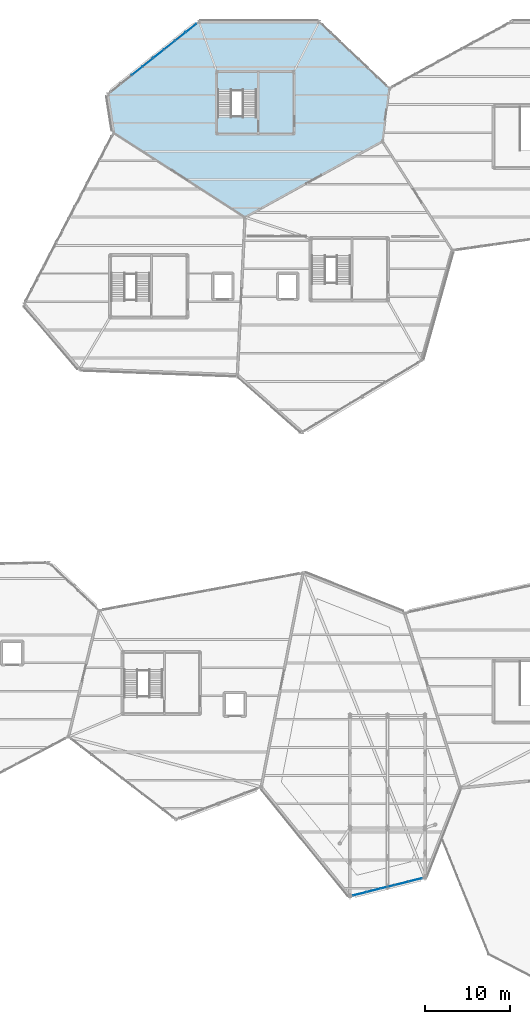
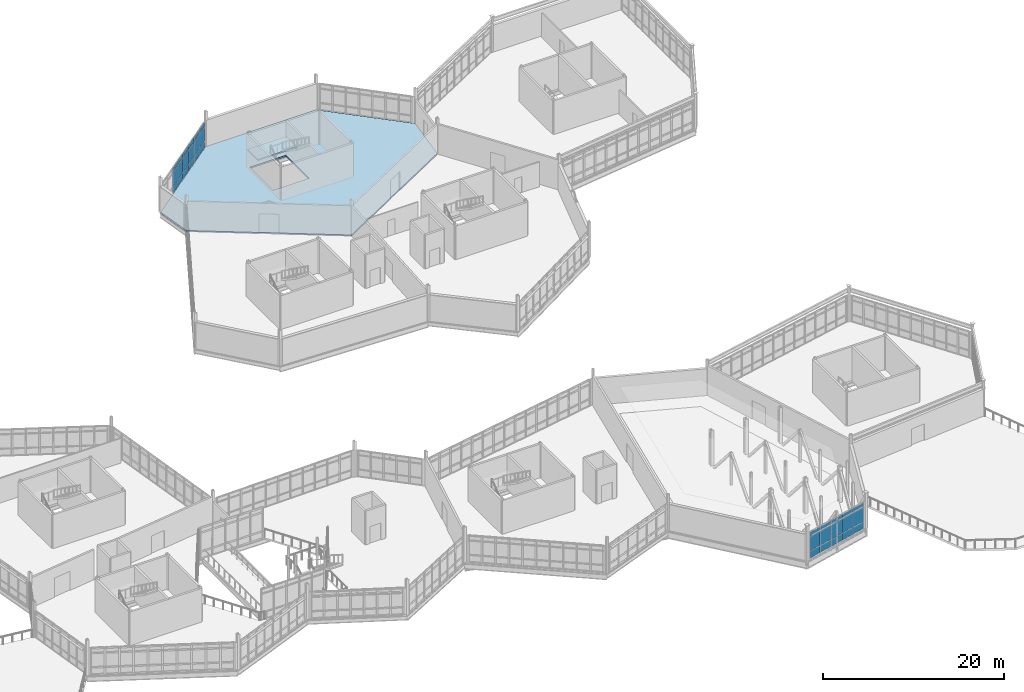
# One storey, part 79 of 114: 33 plates, 2 slabs, 3 elements without a shape of their own.
"""IFC4 building model written with IfcOpenShell, lengths in metres."""

from ifc_helpers import new_model, si_unit, direction, frame, origin, origin_2d, place, context, subcontext, project, spatial, polyline, rectangle, outline, extrude, material, layer, layer_set, type_object, element, aggregate, save


model = new_model("IFC4")

# Units and contexts
model_context = context("Model", 3, precision=1e-05, world=origin(), true_north=direction((0.0, 1.0)))
body_context = subcontext(model_context, "Body", "Model", "MODEL_VIEW")
ifc_project = project(units=[si_unit("LENGTHUNIT", "METRE"), si_unit("AREAUNIT", "SQUARE_METRE"), si_unit("VOLUMEUNIT", "CUBIC_METRE"), si_unit("PLANEANGLEUNIT", "RADIAN"), si_unit("MASSUNIT", "GRAM", prefix="KILO")], contexts=[model_context])

# Site, building, storey
site_placement = place(None, origin())
site = spatial("IfcSite", under=ifc_project, at=site_placement, CompositionType="ELEMENT")
building_placement = place(site_placement, origin())
building = spatial("IfcBuilding", under=site, at=building_placement, Name="Tameran Prism Museum", CompositionType="ELEMENT")
storey_placement = place(building_placement, frame((0.0, 0.0, 10.199951171875)))
storey = spatial("IfcBuildingStorey", under=building, at=storey_placement, Name="L02", CompositionType="ELEMENT", Elevation=10.199951171875)

# Curtain wall, plates
ifc_material_1 = material(Name="Anodised Aluminium 6063-T6 and Cyclone Solar Glass", Category="aluminium")
curtain_wall_type_1 = type_object("IfcCurtainWallType", Name="CW-FAC-837x362", PredefinedType="USERDEFINED", material=ifc_material_1)
curtain_wall_1_placement = place(storey_placement, origin())
curtain_wall_1 = element("IfcCurtainWall", 1, at=curtain_wall_1_placement, inside=storey, type_object=curtain_wall_type_1, Name="Unitised Curtain Wall CW-119", ObjectType="UNITISED CURTAIN WALL", PredefinedType="USERDEFINED")
ifc_material_2 = material(Name="Low-E Laminated Solar Glass", Category="glass")
ifc_layer_1 = layer(ifc_material_2, 0.028076171875)
ifc_layer_set_1 = layer_set([ifc_layer_1])
plate_type_1 = type_object("IfcPlateType", Name="CW-PNL-G28", PredefinedType="CURTAIN_PANEL", material=ifc_layer_set_1)
plate_1_placement = place(storey_placement, frame((138.732177734375, 11.407958984375, 0.06494140625), z_axis=(0.0, 0.0, 1.0), x_axis=(-0.970142500145, -0.242535625038, 0.0)))
plate_1 = element("IfcPlate", 2, at=plate_1_placement, type_object=plate_type_1, Name="CW-119 panel 1.1", PredefinedType="CURTAIN_PANEL", context=body_context, shape_type="SweptSolid", body=[
    extrude(rectangle(XDim=1.576416015625, YDim=0.028076171875, at=origin_2d()), origin(), (0.0, 0.0, 1.0), 0.902587890625),
])
plate_2_placement = place(storey_placement, frame((138.732177734375, 11.407958984375, 1.032470703125), z_axis=(0.0, 0.0, 1.0), x_axis=(-0.970142500145, -0.242535625038, 0.0)))
plate_2 = element("IfcPlate", 3, at=plate_2_placement, type_object=plate_type_1, Name="CW-119 panel 1.2", PredefinedType="CURTAIN_PANEL", context=body_context, shape_type="SweptSolid", body=[
    extrude(rectangle(XDim=1.576416015625, YDim=0.028076171875, at=origin_2d()), origin(), (0.0, 0.0, 1.0), 1.875),
])
plate_3_placement = place(storey_placement, frame((138.732177734375, 11.407958984375, 2.97265625), z_axis=(0.0, 0.0, 1.0), x_axis=(-0.970142500145, -0.242535625038, 0.0)))
plate_3 = element("IfcPlate", 4, at=plate_3_placement, type_object=plate_type_1, Name="CW-119 panel 1.3", PredefinedType="CURTAIN_PANEL", context=body_context, shape_type="SweptSolid", body=[
    extrude(rectangle(XDim=1.576416015625, YDim=0.028076171875, at=origin_2d()), origin(), (0.0, 0.0, 1.0), 0.58251953125),
])
plate_4_placement = place(storey_placement, frame((137.1240234375, 11.006103515625, 0.06494140625), z_axis=(0.0, 0.0, 1.0), x_axis=(-0.970142500145, -0.242535625038, 0.0)))
plate_4 = element("IfcPlate", 5, at=plate_4_placement, type_object=plate_type_1, Name="CW-119 panel 2.1", PredefinedType="CURTAIN_PANEL", context=body_context, shape_type="SweptSolid", body=[
    extrude(rectangle(XDim=1.60888671875, YDim=0.028076171875, at=origin_2d()), origin(), (0.0, 0.0, 1.0), 0.902587890625),
])
plate_5_placement = place(storey_placement, frame((137.1240234375, 11.006103515625, 1.032470703125), z_axis=(0.0, 0.0, 1.0), x_axis=(-0.970142500145, -0.242535625038, 0.0)))
plate_5 = element("IfcPlate", 6, at=plate_5_placement, type_object=plate_type_1, Name="CW-119 panel 2.2", PredefinedType="CURTAIN_PANEL", context=body_context, shape_type="SweptSolid", body=[
    extrude(rectangle(XDim=1.60888671875, YDim=0.028076171875, at=origin_2d()), origin(), (0.0, 0.0, 1.0), 1.875),
])
plate_6_placement = place(storey_placement, frame((137.1240234375, 11.006103515625, 2.97265625), z_axis=(0.0, 0.0, 1.0), x_axis=(-0.970142500145, -0.242535625038, 0.0)))
plate_6 = element("IfcPlate", 7, at=plate_6_placement, type_object=plate_type_1, Name="CW-119 panel 2.3", PredefinedType="CURTAIN_PANEL", context=body_context, shape_type="SweptSolid", body=[
    extrude(rectangle(XDim=1.60888671875, YDim=0.028076171875, at=origin_2d()), origin(), (0.0, 0.0, 1.0), 0.58251953125),
])
plate_7_placement = place(storey_placement, frame((135.5, 10.60009765625, 0.06494140625), z_axis=(0.0, 0.0, 1.0), x_axis=(-0.970142500145, -0.242535625038, 0.0)))
plate_7 = element("IfcPlate", 8, at=plate_7_placement, type_object=plate_type_1, Name="CW-119 panel 3.1", PredefinedType="CURTAIN_PANEL", context=body_context, shape_type="SweptSolid", body=[
    extrude(rectangle(XDim=1.60888671875, YDim=0.028076171875, at=origin_2d()), origin(), (0.0, 0.0, 1.0), 0.902587890625),
])
plate_8_placement = place(storey_placement, frame((135.5, 10.60009765625, 1.032470703125), z_axis=(0.0, 0.0, 1.0), x_axis=(-0.970142500145, -0.242535625038, 0.0)))
plate_8 = element("IfcPlate", 9, at=plate_8_placement, type_object=plate_type_1, Name="CW-119 panel 3.2", PredefinedType="CURTAIN_PANEL", context=body_context, shape_type="SweptSolid", body=[
    extrude(rectangle(XDim=1.60888671875, YDim=0.028076171875, at=origin_2d()), origin(), (0.0, 0.0, 1.0), 1.875),
])
plate_9_placement = place(storey_placement, frame((135.5, 10.60009765625, 2.97265625), z_axis=(0.0, 0.0, 1.0), x_axis=(-0.970142500145, -0.242535625038, 0.0)))
plate_9 = element("IfcPlate", 10, at=plate_9_placement, type_object=plate_type_1, Name="CW-119 panel 3.3", PredefinedType="CURTAIN_PANEL", context=body_context, shape_type="SweptSolid", body=[
    extrude(rectangle(XDim=1.60888671875, YDim=0.028076171875, at=origin_2d()), origin(), (0.0, 0.0, 1.0), 0.58251953125),
])
plate_10_placement = place(storey_placement, frame((133.8759765625, 10.194091796875, 0.06494140625), z_axis=(0.0, 0.0, 1.0), x_axis=(-0.970142500145, -0.242535625038, 0.0)))
plate_10 = element("IfcPlate", 11, at=plate_10_placement, type_object=plate_type_1, Name="CW-119 panel 4.1", PredefinedType="CURTAIN_PANEL", context=body_context, shape_type="SweptSolid", body=[
    extrude(rectangle(XDim=1.60888671875, YDim=0.028076171875, at=origin_2d()), origin(), (0.0, 0.0, 1.0), 0.902587890625),
])
plate_11_placement = place(storey_placement, frame((133.8759765625, 10.194091796875, 1.032470703125), z_axis=(0.0, 0.0, 1.0), x_axis=(-0.970142500145, -0.242535625038, 0.0)))
plate_11 = element("IfcPlate", 12, at=plate_11_placement, type_object=plate_type_1, Name="CW-119 panel 4.2", PredefinedType="CURTAIN_PANEL", context=body_context, shape_type="SweptSolid", body=[
    extrude(rectangle(XDim=1.60888671875, YDim=0.028076171875, at=origin_2d()), origin(), (0.0, 0.0, 1.0), 1.875),
])
plate_12_placement = place(storey_placement, frame((133.8759765625, 10.194091796875, 2.97265625), z_axis=(0.0, 0.0, 1.0), x_axis=(-0.970142500145, -0.242535625038, 0.0)))
plate_12 = element("IfcPlate", 13, at=plate_12_placement, type_object=plate_type_1, Name="CW-119 panel 4.3", PredefinedType="CURTAIN_PANEL", context=body_context, shape_type="SweptSolid", body=[
    extrude(rectangle(XDim=1.60888671875, YDim=0.028076171875, at=origin_2d()), origin(), (0.0, 0.0, 1.0), 0.58251953125),
])
plate_13_placement = place(storey_placement, frame((132.267822265625, 9.7919921875, 0.06494140625), z_axis=(0.0, 0.0, 1.0), x_axis=(-0.970142500145, -0.242535625038, 0.0)))
plate_13 = element("IfcPlate", 14, at=plate_13_placement, type_object=plate_type_1, Name="CW-119 panel 5.1", PredefinedType="CURTAIN_PANEL", context=body_context, shape_type="SweptSolid", body=[
    extrude(rectangle(XDim=1.576416015625, YDim=0.028076171875, at=origin_2d()), origin(), (0.0, 0.0, 1.0), 0.902587890625),
])
plate_14_placement = place(storey_placement, frame((132.267822265625, 9.7919921875, 1.032470703125), z_axis=(0.0, 0.0, 1.0), x_axis=(-0.970142500145, -0.242535625038, 0.0)))
plate_14 = element("IfcPlate", 15, at=plate_14_placement, type_object=plate_type_1, Name="CW-119 panel 5.2", PredefinedType="CURTAIN_PANEL", context=body_context, shape_type="SweptSolid", body=[
    extrude(rectangle(XDim=1.576416015625, YDim=0.028076171875, at=origin_2d()), origin(), (0.0, 0.0, 1.0), 1.875),
])
plate_15_placement = place(storey_placement, frame((132.267822265625, 9.7919921875, 2.97265625), z_axis=(0.0, 0.0, 1.0), x_axis=(-0.970142500145, -0.242535625038, 0.0)))
plate_15 = element("IfcPlate", 16, at=plate_15_placement, type_object=plate_type_1, Name="CW-119 panel 5.3", PredefinedType="CURTAIN_PANEL", context=body_context, shape_type="SweptSolid", body=[
    extrude(rectangle(XDim=1.576416015625, YDim=0.028076171875, at=origin_2d()), origin(), (0.0, 0.0, 1.0), 0.58251953125),
])
aggregate(curtain_wall_1, [plate_1, plate_2, plate_3, plate_4, plate_5, plate_6, plate_7, plate_8, plate_9, plate_10, plate_11, plate_12, plate_13, plate_14, plate_15])

ifc_material_3 = material(Name="Anodised Aluminium 6063-T6 and Cyclone Solar Glass", Category="aluminium")
curtain_wall_type_2 = type_object("IfcCurtainWallType", Name="CW-FAC-1296x362", PredefinedType="USERDEFINED", material=ifc_material_3)
curtain_wall_2_placement = place(storey_placement, origin())
curtain_wall_2 = element("IfcCurtainWall", 17, at=curtain_wall_2_placement, inside=storey, type_object=curtain_wall_type_2, Name="Unitised Curtain Wall CW-101", ObjectType="UNITISED CURTAIN WALL", PredefinedType="USERDEFINED")
ifc_material_4 = material(Name="Cyclone Laminated Solar Glass", Category="glass")
ifc_layer_2 = layer(ifc_material_4, 0.031982421875)
ifc_layer_set_2 = layer_set([ifc_layer_2])
plate_type_2 = type_object("IfcPlateType", Name="CW-PNL-G32", PredefinedType="CURTAIN_PANEL", material=ifc_layer_set_2)
plate_16_placement = place(storey_placement, frame((106.146484375, 106.238037109375, 0.0751953125), z_axis=(0.0, 0.0, 1.0), x_axis=(0.783031296178, 0.621982306183, 0.0)))
plate_16 = element("IfcPlate", 18, at=plate_16_placement, type_object=plate_type_2, Name="CW-101 panel 3.1", PredefinedType="CURTAIN_PANEL", context=body_context, shape_type="SweptSolid", body=[
    extrude(rectangle(XDim=1.545654296875, YDim=0.031982421875, at=origin_2d()), origin(), (0.0, 0.0, 1.0), 0.887451171875),
])
plate_17_placement = place(storey_placement, frame((106.146484375, 106.238037109375, 1.03759765625), z_axis=(0.0, 0.0, 1.0), x_axis=(0.783031296178, 0.621982306183, 0.0)))
plate_17 = element("IfcPlate", 19, at=plate_17_placement, type_object=plate_type_2, Name="CW-101 panel 3.2", PredefinedType="CURTAIN_PANEL", context=body_context, shape_type="SweptSolid", body=[
    extrude(rectangle(XDim=1.545654296875, YDim=0.031982421875, at=origin_2d()), origin(), (0.0, 0.0, 1.0), 1.864990234375),
])
plate_18_placement = place(storey_placement, frame((106.146484375, 106.238037109375, 2.9775390625), z_axis=(0.0, 0.0, 1.0), x_axis=(0.783031296178, 0.621982306183, 0.0)))
plate_18 = element("IfcPlate", 20, at=plate_18_placement, type_object=plate_type_2, Name="CW-101 panel 3.3", PredefinedType="CURTAIN_PANEL", context=body_context, shape_type="SweptSolid", body=[
    extrude(rectangle(XDim=1.545654296875, YDim=0.031982421875, at=origin_2d()), origin(), (0.0, 0.0, 1.0), 0.5673828125),
])
plate_19_placement = place(storey_placement, frame((107.41552734375, 107.24609375, 0.0751953125), z_axis=(0.0, 0.0, 1.0), x_axis=(0.783031296178, 0.621982306183, 0.0)))
plate_19 = element("IfcPlate", 21, at=plate_19_placement, type_object=plate_type_2, Name="CW-101 panel 4.1", PredefinedType="CURTAIN_PANEL", context=body_context, shape_type="SweptSolid", body=[
    extrude(rectangle(XDim=1.545654296875, YDim=0.031982421875, at=origin_2d()), origin(), (0.0, 0.0, 1.0), 0.887451171875),
])
plate_20_placement = place(storey_placement, frame((107.41552734375, 107.24609375, 1.03759765625), z_axis=(0.0, 0.0, 1.0), x_axis=(0.783031296178, 0.621982306183, 0.0)))
plate_20 = element("IfcPlate", 22, at=plate_20_placement, type_object=plate_type_2, Name="CW-101 panel 4.2", PredefinedType="CURTAIN_PANEL", context=body_context, shape_type="SweptSolid", body=[
    extrude(rectangle(XDim=1.545654296875, YDim=0.031982421875, at=origin_2d()), origin(), (0.0, 0.0, 1.0), 1.864990234375),
])
plate_21_placement = place(storey_placement, frame((107.41552734375, 107.24609375, 2.9775390625), z_axis=(0.0, 0.0, 1.0), x_axis=(0.783031296178, 0.621982306183, 0.0)))
plate_21 = element("IfcPlate", 23, at=plate_21_placement, type_object=plate_type_2, Name="CW-101 panel 4.3", PredefinedType="CURTAIN_PANEL", context=body_context, shape_type="SweptSolid", body=[
    extrude(rectangle(XDim=1.545654296875, YDim=0.031982421875, at=origin_2d()), origin(), (0.0, 0.0, 1.0), 0.5673828125),
])
plate_22_placement = place(storey_placement, frame((108.6845703125, 108.25390625, 0.0751953125), z_axis=(0.0, 0.0, 1.0), x_axis=(0.783031296178, 0.621982306183, 0.0)))
plate_22 = element("IfcPlate", 24, at=plate_22_placement, type_object=plate_type_2, Name="CW-101 panel 5.1", PredefinedType="CURTAIN_PANEL", context=body_context, shape_type="SweptSolid", body=[
    extrude(rectangle(XDim=1.545654296875, YDim=0.031982421875, at=origin_2d()), origin(), (0.0, 0.0, 1.0), 0.887451171875),
])
plate_23_placement = place(storey_placement, frame((108.6845703125, 108.25390625, 1.03759765625), z_axis=(0.0, 0.0, 1.0), x_axis=(0.783031296178, 0.621982306183, 0.0)))
plate_23 = element("IfcPlate", 25, at=plate_23_placement, type_object=plate_type_2, Name="CW-101 panel 5.2", PredefinedType="CURTAIN_PANEL", context=body_context, shape_type="SweptSolid", body=[
    extrude(rectangle(XDim=1.545654296875, YDim=0.031982421875, at=origin_2d()), origin(), (0.0, 0.0, 1.0), 1.864990234375),
])
plate_24_placement = place(storey_placement, frame((108.6845703125, 108.25390625, 2.9775390625), z_axis=(0.0, 0.0, 1.0), x_axis=(0.783031296178, 0.621982306183, 0.0)))
plate_24 = element("IfcPlate", 26, at=plate_24_placement, type_object=plate_type_2, Name="CW-101 panel 5.3", PredefinedType="CURTAIN_PANEL", context=body_context, shape_type="SweptSolid", body=[
    extrude(rectangle(XDim=1.545654296875, YDim=0.031982421875, at=origin_2d()), origin(), (0.0, 0.0, 1.0), 0.5673828125),
])
plate_25_placement = place(storey_placement, frame((109.95361328125, 109.261962890625, 0.0751953125), z_axis=(0.0, 0.0, 1.0), x_axis=(0.783031296178, 0.621982306183, 0.0)))
plate_25 = element("IfcPlate", 27, at=plate_25_placement, type_object=plate_type_2, Name="CW-101 panel 6.1", PredefinedType="CURTAIN_PANEL", context=body_context, shape_type="SweptSolid", body=[
    extrude(rectangle(XDim=1.545654296875, YDim=0.031982421875, at=origin_2d()), origin(), (0.0, 0.0, 1.0), 0.887451171875),
])
plate_26_placement = place(storey_placement, frame((109.95361328125, 109.261962890625, 1.03759765625), z_axis=(0.0, 0.0, 1.0), x_axis=(0.783031296178, 0.621982306183, 0.0)))
plate_26 = element("IfcPlate", 28, at=plate_26_placement, type_object=plate_type_2, Name="CW-101 panel 6.2", PredefinedType="CURTAIN_PANEL", context=body_context, shape_type="SweptSolid", body=[
    extrude(rectangle(XDim=1.545654296875, YDim=0.031982421875, at=origin_2d()), origin(), (0.0, 0.0, 1.0), 1.864990234375),
])
plate_27_placement = place(storey_placement, frame((109.95361328125, 109.261962890625, 2.9775390625), z_axis=(0.0, 0.0, 1.0), x_axis=(0.783031296178, 0.621982306183, 0.0)))
plate_27 = element("IfcPlate", 29, at=plate_27_placement, type_object=plate_type_2, Name="CW-101 panel 6.3", PredefinedType="CURTAIN_PANEL", context=body_context, shape_type="SweptSolid", body=[
    extrude(rectangle(XDim=1.545654296875, YDim=0.031982421875, at=origin_2d()), origin(), (0.0, 0.0, 1.0), 0.5673828125),
])
plate_28_placement = place(storey_placement, frame((111.222412109375, 110.27001953125, 0.0751953125), z_axis=(0.0, 0.0, 1.0), x_axis=(0.783031296178, 0.621982306183, 0.0)))
plate_28 = element("IfcPlate", 30, at=plate_28_placement, type_object=plate_type_2, Name="CW-101 panel 7.1", PredefinedType="CURTAIN_PANEL", context=body_context, shape_type="SweptSolid", body=[
    extrude(rectangle(XDim=1.545654296875, YDim=0.031982421875, at=origin_2d()), origin(), (0.0, 0.0, 1.0), 0.887451171875),
])
plate_29_placement = place(storey_placement, frame((111.222412109375, 110.27001953125, 1.03759765625), z_axis=(0.0, 0.0, 1.0), x_axis=(0.783031296178, 0.621982306183, 0.0)))
plate_29 = element("IfcPlate", 31, at=plate_29_placement, type_object=plate_type_2, Name="CW-101 panel 7.2", PredefinedType="CURTAIN_PANEL", context=body_context, shape_type="SweptSolid", body=[
    extrude(rectangle(XDim=1.545654296875, YDim=0.031982421875, at=origin_2d()), origin(), (0.0, 0.0, 1.0), 1.864990234375),
])
plate_30_placement = place(storey_placement, frame((111.222412109375, 110.27001953125, 2.9775390625), z_axis=(0.0, 0.0, 1.0), x_axis=(0.783031296178, 0.621982306183, 0.0)))
plate_30 = element("IfcPlate", 32, at=plate_30_placement, type_object=plate_type_2, Name="CW-101 panel 7.3", PredefinedType="CURTAIN_PANEL", context=body_context, shape_type="SweptSolid", body=[
    extrude(rectangle(XDim=1.545654296875, YDim=0.031982421875, at=origin_2d()), origin(), (0.0, 0.0, 1.0), 0.5673828125),
])
plate_31_placement = place(storey_placement, frame((112.476806640625, 111.266357421875, 0.0751953125), z_axis=(0.0, 0.0, 1.0), x_axis=(0.783031296178, 0.621982306183, 0.0)))
plate_31 = element("IfcPlate", 33, at=plate_31_placement, type_object=plate_type_2, Name="CW-101 panel 8.1", PredefinedType="CURTAIN_PANEL", context=body_context, shape_type="SweptSolid", body=[
    extrude(rectangle(XDim=1.508056640625, YDim=0.031982421875, at=origin_2d()), origin(), (0.0, 0.0, 1.0), 0.887451171875),
])
plate_32_placement = place(storey_placement, frame((112.476806640625, 111.266357421875, 1.03759765625), z_axis=(0.0, 0.0, 1.0), x_axis=(0.783031296178, 0.621982306183, 0.0)))
plate_32 = element("IfcPlate", 34, at=plate_32_placement, type_object=plate_type_2, Name="CW-101 panel 8.2", PredefinedType="CURTAIN_PANEL", context=body_context, shape_type="SweptSolid", body=[
    extrude(rectangle(XDim=1.508056640625, YDim=0.031982421875, at=origin_2d()), origin(), (0.0, 0.0, 1.0), 1.864990234375),
])
plate_33_placement = place(storey_placement, frame((112.476806640625, 111.266357421875, 2.9775390625), z_axis=(0.0, 0.0, 1.0), x_axis=(0.783031296178, 0.621982306183, 0.0)))
plate_33 = element("IfcPlate", 35, at=plate_33_placement, type_object=plate_type_2, Name="CW-101 panel 8.3", PredefinedType="CURTAIN_PANEL", context=body_context, shape_type="SweptSolid", body=[
    extrude(rectangle(XDim=1.508056640625, YDim=0.031982421875, at=origin_2d()), origin(), (0.0, 0.0, 1.0), 0.5673828125),
])
aggregate(curtain_wall_2, [plate_16, plate_17, plate_18, plate_19, plate_20, plate_21, plate_22, plate_23, plate_24, plate_25, plate_26, plate_27, plate_28, plate_29, plate_30, plate_31, plate_32, plate_33])

# Slab
ifc_material_5 = material(Name="Concrete N32 (32 MPa)", Category="concrete")
ifc_layer_3 = layer(ifc_material_5, 0.199951171875)
ifc_layer_set_3 = layer_set([ifc_layer_3])
slab_type_1 = type_object("IfcSlabType", Name="SL-FLR-200", PredefinedType="FLOOR", material=ifc_layer_set_3)
slab_1_placement = place(storey_placement, frame((0.0, 0.0, -0.199951171875)))
element("IfcSlab", 36, at=slab_1_placement, inside=storey, type_object=slab_type_1, Name="Floor Slab FS-P03-L02", PredefinedType="FLOOR", context=body_context, shape_type="SweptSolid", body=[
    extrude(outline(polyline([(102.699951171875, 103.5), (113.39990234375, 112.0), (127.5, 112.0), (135.699951171875, 104.199951171875), (134.89990234375, 98.0), (118.800048828125, 89.10009765625), (103.39990234375, 99.0), (102.699951171875, 103.5)]), holes=[polyline([(120.219970703125, 106.050048828125), (115.60009765625, 106.050048828125), (115.60009765625, 100.93994140625), (120.219970703125, 100.93994140625), (120.219970703125, 106.050048828125)])]), origin(), (0.0, 0.0, 1.0), 0.199951171875),
])

# Stair, slab
ifc_material_6 = material(Name="Concrete N40 (40 MPa)", Category="concrete")
stair_type = type_object("IfcStairType", Name="ST-CORE-48", PredefinedType="HALF_TURN_STAIR", material=ifc_material_6)
stair_placement = place(storey_placement, origin())
stair = element("IfcStair", 37, at=stair_placement, inside=storey, type_object=stair_type, Name="Fire-Isolated Stair ST-07-L02", PredefinedType="HALF_TURN_STAIR")
ifc_material_7 = material(Name="Concrete N40 (40 MPa)", Category="concrete")
ifc_layer_4 = layer(ifc_material_7, 0.18505859375)
ifc_layer_set_4 = layer_set([ifc_layer_4])
slab_type_2 = type_object("IfcSlabType", Name="SL-LND-185", PredefinedType="LANDING", material=ifc_layer_set_4)
slab_2_placement = place(storey_placement, frame((0.0, 0.0, 2.215087890625)))
slab_2 = element("IfcSlab", 38, at=slab_2_placement, type_object=slab_type_2, Name="ST-07-L02 landing 1", PredefinedType="LANDING", context=body_context, shape_type="SweptSolid", body=[
    extrude(outline(polyline([(115.3798828125, 103.9150390625), (120.3701171875, 103.9150390625), (120.3701171875, 106.219970703125), (115.3798828125, 106.219970703125), (115.3798828125, 103.9150390625)])), origin(), (0.0, 0.0, 1.0), 0.18505859375),
])
aggregate(stair, [slab_2])

save(model, "model.ifc")
